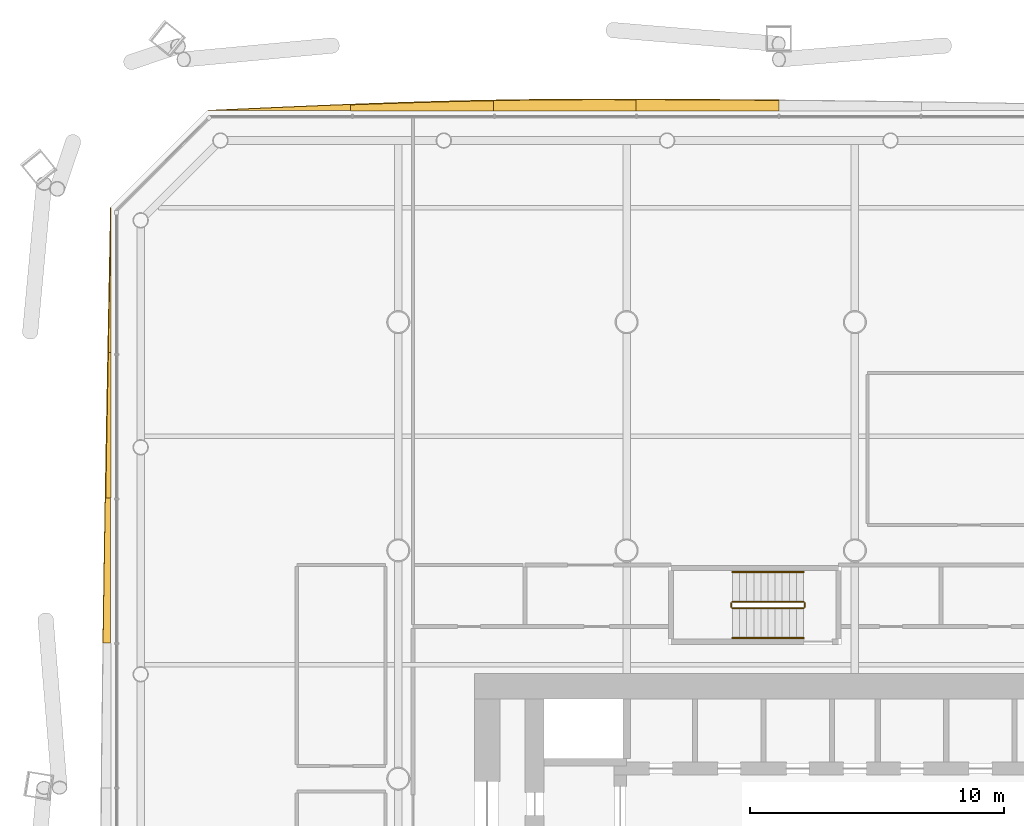
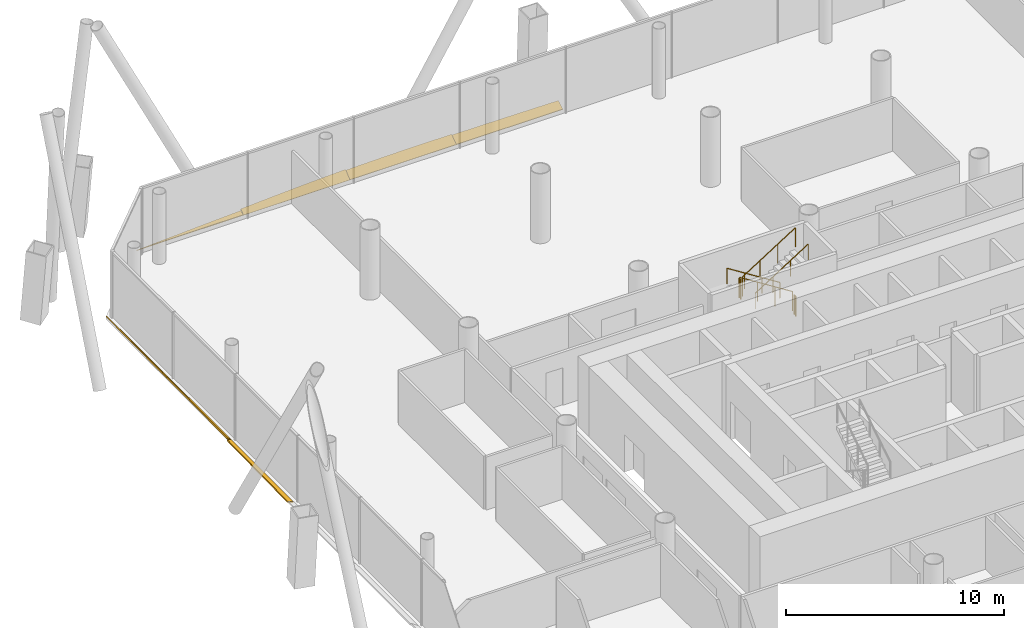
# One storey, part 20 of 21: 7 shading devices, 6 railings.
"""IFC4 building model written with IfcOpenShell, lengths in metres."""

from ifc_helpers import new_model, si_unit, direction, frame, origin, origin_2d, place, context, subcontext, project, spatial, polyline, circle, outline, extrude, material, layer, layer_set, type_object, element, save


model = new_model("IFC4")

# Units and contexts
model_context = context("Model", 3, precision=1e-05, world=origin(), true_north=direction((0.0, 1.0)))
body_context = subcontext(model_context, "Body", "Model", "MODEL_VIEW")
ifc_project = project(units=[si_unit("LENGTHUNIT", "METRE"), si_unit("AREAUNIT", "SQUARE_METRE"), si_unit("VOLUMEUNIT", "CUBIC_METRE"), si_unit("PLANEANGLEUNIT", "RADIAN"), si_unit("MASSUNIT", "GRAM", prefix="KILO")], contexts=[model_context])

# Site, building, storey
site_placement = place(None, origin())
site = spatial("IfcSite", under=ifc_project, at=site_placement, CompositionType="ELEMENT")
building_placement = place(site_placement, origin())
building = spatial("IfcBuilding", under=site, at=building_placement, Name="Tskaro Facet Tower", CompositionType="ELEMENT")
storey_placement = place(building_placement, frame((0.0, 0.0, 45.89990234375)))
storey = spatial("IfcBuildingStorey", under=building, at=storey_placement, Name="L10", CompositionType="ELEMENT", Elevation=45.89990234375)

# Shading devices
ifc_material_1 = material(Name="Bronze anodised aluminium 6063-T6", Category="aluminium")
ifc_layer = layer(ifc_material_1, 0.06005859375, Name="Bronze anodised aluminium 6063-T6")
ifc_layer_set = layer_set([ifc_layer], Name="Bronze anodised aluminium 6063-T6")
shading_device_type = type_object("IfcShadingDeviceType", Name="Bronze sun blade (FN1)", PredefinedType="USERDEFINED", material=ifc_layer_set)
shading_device_1_placement = place(storey_placement, frame((-3.0, 26.326904296875, 0.052001953125), z_axis=(4.718736e-06, -0.499979834675, 0.866037045914), x_axis=(-0.999999999989, -2.359273e-06, 4.0866e-06)))
element("IfcShadingDevice", 1, at=shading_device_1_placement, inside=storey, type_object=shading_device_type, Name="Fin blade north 5", ObjectType="FIN", PredefinedType="USERDEFINED", context=body_context, shape_type="SweptSolid", body=[
    extrude(outline(polyline([(0.0, 0.0), (5.6271972655623514, 0.0), (5.627197265614438, -0.5102553662997212), (4.9238281250384075, -0.5082870609627608), (4.220458984194951, -0.5054403203701524), (3.5170898435057785, -0.5020486447368877), (2.813720703546884, -0.49790059923730157), (2.1101074215435753, -0.4932969881333978), (1.4067382814715366, -0.4877255723375075), (0.7033691405560765, -0.48148715611163456), (-2.0510024291855364e-10, -0.4747038048451052), (0.0, 0.0)])), origin(), (0.0, 0.0, -1.0), 0.06005859375),
])
shading_device_2_placement = place(storey_placement, frame((-8.627197265625, 26.322509765625, 0.04931640625), z_axis=(9.983e-07, -0.573426071355, 0.819257310428), x_axis=(-1.0, -5.72451e-07, 8.17864e-07)))
element("IfcShadingDevice", 2, at=shading_device_2_placement, inside=storey, type_object=shading_device_type, Name="Fin blade north 6", ObjectType="FIN", PredefinedType="USERDEFINED", context=body_context, shape_type="SweptSolid", body=[
    extrude(outline(polyline([(0.0, 0.0), (5.627197265622196, 0.0), (5.627197265664122, -0.49679935589731994), (4.9238281249203, -0.5110199152858155), (4.220458984435936, -0.5227403657508174), (3.5170898436120077, -0.5315407174939696), (2.813720703187296, -0.5376409463218244), (2.1103515624230194, -0.5408210764278296), (1.6657714844180718, -0.541501097610341), (1.4069824219182008, -0.541501097610341), (0.7033691406884789, -0.5406210624360258), (2.3841997477995805e-11, -0.5394010166704548), (0.0, 0.0)])), origin(), (0.0, 0.0, -1.0), 0.06005859375),
])
shading_device_3_placement = place(storey_placement, frame((-14.25439453125, 26.318359375, 0.046142578125), z_axis=(1.407075e-06, -0.642649318085, 0.766160462281), x_axis=(-0.999999999999, -9.04256e-07, 1.078045e-06)))
element("IfcShadingDevice", 3, at=shading_device_3_placement, inside=storey, type_object=shading_device_type, Name="Fin blade north 7", ObjectType="FIN", PredefinedType="USERDEFINED", context=body_context, shape_type="SweptSolid", body=[
    extrude(outline(polyline([(0.0, 0.0), (5.627441406244429, 0.0), (5.62744140617187, -0.3176554713903027), (4.9238281247674, -0.3519776805099698), (4.220458984480513, -0.3843629461461611), (3.517089843718285, -0.41487157647475403), (2.813720703143014, -0.442942418813413), (2.110351562533934, -0.46876252405624996), (1.4069824218910456, -0.4923318922032647), (0.7036132813926845, -0.5131195246600605), (-7.01088194219972e-11, -0.531155575514576), (0.0, 0.0)])), origin(), (0.0, 0.0, -1.0), 0.06005859375),
])
shading_device_4_placement = place(storey_placement, frame((-19.8818359375, 26.33642578125, 0.056396484375), z_axis=(8.14819e-06, -0.342285490755, 0.939595999753), x_axis=(-0.999999999967, -2.789007e-06, 7.656006e-06)))
element("IfcShadingDevice", 4, at=shading_device_4_placement, inside=storey, type_object=shading_device_type, Name="Fin blade north 8", ObjectType="FIN", PredefinedType="USERDEFINED", context=body_context, shape_type="SweptSolid", body=[
    extrude(outline(polyline([(0.0, 0.0), (5.627197265438197, -2.383210742341842e-21), (4.923828124675261, -0.034291107306719984), (4.2204589845932325, -0.06835282105880514), (3.5168457026979816, -0.10210157546261123), (2.813476563470452, -0.13516214920251285), (2.110107421866458, -0.16759680424585635), (1.4067382804360518, -0.19925971283165117), (0.7033691405410527, -0.22969208785062764), (-3.685909401511072e-10, -0.2590397570637763), (0.0, 0.0)])), origin(), (0.0, 0.0, -1.0), 0.06005859375),
])
shading_device_5_placement = place(storey_placement, frame((-29.322509765625, 22.509033203125, 0.04931640625), z_axis=(0.572362988234, 1.0488162e-05, 0.820000371701), x_axis=(6.003036e-06, -0.999999999945, 8.600296e-06)))
element("IfcShadingDevice", 5, at=shading_device_5_placement, inside=storey, type_object=shading_device_type, Name="Fin blade west 1", ObjectType="FIN", PredefinedType="USERDEFINED", context=body_context, shape_type="SweptSolid", body=[
    extrude(outline(polyline([(0.0, 0.0), (5.716796874685572, -4.842315305885424e-21), (5.716796875303948, -0.13342523971420084), (5.002197266787512, -0.1171044843430763), (4.287597656171393, -0.1006439919142698), (3.5729980470208598, -0.08398330408220495), (2.858398437870327, -0.06732261625014009), (2.143798826620112, -0.050522191360393244), (1.4291992189351634, -0.033661308125070045), (0.7145996076849483, -0.0168608832353232), (0.0, 0.0)])), origin(), (0.0, 0.0, -1.0), 0.06005859375),
])
shading_device_6_placement = place(storey_placement, frame((-29.318359375, 16.792236328125, 0.046142578125), z_axis=(0.642239397781, -9.519205e-06, 0.766504113393), x_axis=(-6.113608e-06, -0.999999999955, -7.29651e-06)))
element("IfcShadingDevice", 6, at=shading_device_6_placement, inside=storey, type_object=shading_device_type, Name="Fin blade west 2", ObjectType="FIN", PredefinedType="USERDEFINED", context=body_context, shape_type="SweptSolid", body=[
    extrude(outline(polyline([(0.0, 0.0), (5.717041015365974, 0.0), (5.717041015577559, -0.27676815336274924), (5.002441404931073, -0.26063881632837377), (4.287841797558541, -0.24453981735933467), (3.5732421872008495, -0.22806654880366115), (2.858642578624533, -0.2114364835200067), (2.144042968555635, -0.19461928344303508), (1.4294433587755322, -0.17745815184476532), (0.7145996101518144, -0.1601402235185147), (-1.120868793988963e-09, -0.14279195712692772), (0.0, 0.0)])), origin(), (0.0, 0.0, -1.0), 0.06005859375),
])
shading_device_7_placement = place(storey_placement, frame((-29.33642578125, 11.0751953125, 0.056396484375), z_axis=(0.342189047853, 7.477543e-06, 0.939631127344), x_axis=(2.558733e-06, -0.999999999972, 7.026132e-06)))
element("IfcShadingDevice", 7, at=shading_device_7_placement, inside=storey, type_object=shading_device_type, Name="Fin blade west 3", ObjectType="FIN", PredefinedType="USERDEFINED", context=body_context, shape_type="SweptSolid", body=[
    extrude(outline(polyline([(0.0, 0.0), (5.716796874840177, 0.0), (5.716796875261032, -0.3209056430274164), (5.002197264697192, -0.30993407756956787), (4.287597656473408, -0.2988166522290271), (3.572998047783641, -0.2871568803790617), (2.85839843737851, -0.275413566281083), (2.143798827598069, -0.2634408500523987), (1.4291992190670102, -0.25100932956230326), (0.714599608820587, -0.23849426682419442), (-1.7645484442953212e-10, -0.2255203998246744), (0.0, 0.0)])), origin(), (0.0, 0.0, -1.0), 0.06005859375),
])

# Railings
ifc_material_2 = material(Name="Stainless steel", Category="steel")
railing_type_1 = type_object("IfcRailingType", Name="RL-GUARD-1100", PredefinedType="GUARDRAIL", material=ifc_material_2)
railing_1_placement = place(storey_placement, frame((-2.02490234375, 6.97509765625, 0.177490234375)))
element("IfcRailing", 8, at=railing_1_placement, inside=storey, type_object=railing_type_1, Name="L10 ST-3 stair guard 1", PredefinedType="GUARDRAIL", context=body_context, shape_type="SweptSolid", body=[
    extrude(circle(Radius=0.02392578125, at=origin_2d()), frame((0.0, 0.0, 1.076171875), z_axis=(-0.844908973607, 0.0, 0.534910110503), x_axis=(0.0, -1.0, 0.0)), (0.0, 0.0, 1.0), 3.31396484375),
    extrude(circle(Radius=0.02099609375, at=origin_2d()), origin(), (0.0, 0.0, 1.0), 1.052001953125),
    extrude(circle(Radius=0.02099609375, at=origin_2d()), frame((-0.933349609375, 0.0, 0.5908203125)), (0.0, 0.0, 1.0), 1.052001953125),
    extrude(circle(Radius=0.02099609375, at=origin_2d()), frame((-1.86669921875, 0.0, 1.181884765625)), (0.0, 0.0, 1.0), 1.052001953125),
    extrude(circle(Radius=0.02099609375, at=origin_2d()), frame((-2.800048828125, 0.0, 1.772705078125)), (0.0, 0.0, 1.0), 1.052001953125),
])
railing_2_placement = place(storey_placement, frame((-4.875, 6.925048828125, 1.9501953125)))
element("IfcRailing", 9, at=railing_2_placement, inside=storey, type_object=railing_type_1, Name="L10 ST-3 stair guard 2", PredefinedType="GUARDRAIL", context=body_context, shape_type="SweptSolid", body=[
    extrude(circle(Radius=0.02392578125, at=origin_2d()), frame((0.0, 0.0, 1.076171875), z_axis=(0.0, -1.0, 0.0), x_axis=(1.0, 0.0, 0.0)), (0.0, 0.0, 1.0), 0.150146484375),
    extrude(circle(Radius=0.02099609375, at=origin_2d()), origin(), (0.0, 0.0, 1.0), 1.052001953125),
    extrude(circle(Radius=0.02099609375, at=origin_2d()), frame((0.0, -0.150146484375, 0.0)), (0.0, 0.0, 1.0), 1.052001953125),
])
railing_3_placement = place(storey_placement, frame((-4.824951171875, 6.72509765625, 2.12744140625)))
element("IfcRailing", 10, at=railing_3_placement, inside=storey, type_object=railing_type_1, Name="L10 ST-3 stair guard 3", PredefinedType="GUARDRAIL", context=body_context, shape_type="SweptSolid", body=[
    extrude(circle(Radius=0.02392578125, at=origin_2d()), frame((0.0, 0.0, 1.076171875), z_axis=(0.844908973607, 0.0, 0.534910110503), x_axis=(0.0, 1.0, 0.0)), (0.0, 0.0, 1.0), 3.31396484375),
    extrude(circle(Radius=0.02099609375, at=origin_2d()), origin(), (0.0, 0.0, 1.0), 1.052001953125),
    extrude(circle(Radius=0.02099609375, at=origin_2d()), frame((0.933349609375, 0.0, 0.5908203125)), (0.0, 0.0, 1.0), 1.052001953125),
    extrude(circle(Radius=0.02099609375, at=origin_2d()), frame((1.86669921875, 0.0, 1.181884765625)), (0.0, 0.0, 1.0), 1.052001953125),
    extrude(circle(Radius=0.02099609375, at=origin_2d()), frame((2.800048828125, 0.0, 1.772705078125)), (0.0, 0.0, 1.0), 1.052001953125),
])
railing_4_placement = place(storey_placement, frame((-1.97509765625, 6.925048828125, 0.0)))
element("IfcRailing", 11, at=railing_4_placement, inside=storey, type_object=railing_type_1, Name="L10 ST-3 stair guard 4", PredefinedType="GUARDRAIL", context=body_context, shape_type="SweptSolid", body=[
    extrude(circle(Radius=0.02392578125, at=origin_2d()), frame((0.0, 0.0, 1.076171875), z_axis=(0.0, -1.0, 0.0), x_axis=(1.0, 0.0, 0.0)), (0.0, 0.0, 1.0), 0.150146484375),
    extrude(circle(Radius=0.02099609375, at=origin_2d()), origin(), (0.0, 0.0, 1.0), 1.052001953125),
    extrude(circle(Radius=0.02099609375, at=origin_2d()), frame((0.0, -0.150146484375, 0.0)), (0.0, 0.0, 1.0), 1.052001953125),
])
railing_type_2 = type_object("IfcRailingType", Name="RL-HANDRAIL-900", PredefinedType="HANDRAIL", material=ifc_material_2)
railing_5_placement = place(storey_placement, frame((-2.02490234375, 8.14990234375, 0.177490234375)))
element("IfcRailing", 12, at=railing_5_placement, inside=storey, type_object=railing_type_2, Name="L10 ST-3 stair handrail 1", PredefinedType="HANDRAIL", context=body_context, shape_type="SweptSolid", body=[
    extrude(circle(Radius=0.02392578125, at=origin_2d()), frame((0.0, 0.0, 0.8759765625), z_axis=(-0.844908973607, 0.0, 0.534910110503), x_axis=(0.0, -1.0, 0.0)), (0.0, 0.0, 1.0), 3.31396484375),
    extrude(circle(Radius=0.02099609375, at=origin_2d()), origin(), (0.0, 0.0, 1.0), 0.851806640625),
    extrude(circle(Radius=0.02099609375, at=origin_2d()), frame((-0.933349609375, 0.0, 0.5908203125)), (0.0, 0.0, 1.0), 0.851806640625),
    extrude(circle(Radius=0.02099609375, at=origin_2d()), frame((-1.86669921875, 0.0, 1.181884765625)), (0.0, 0.0, 1.0), 0.851806640625),
    extrude(circle(Radius=0.02099609375, at=origin_2d()), frame((-2.800048828125, 0.0, 1.772705078125)), (0.0, 0.0, 1.0), 0.851806640625),
])
railing_6_placement = place(storey_placement, frame((-4.824951171875, 5.550048828125, 2.12744140625)))
element("IfcRailing", 13, at=railing_6_placement, inside=storey, type_object=railing_type_2, Name="L10 ST-3 stair handrail 2", PredefinedType="HANDRAIL", context=body_context, shape_type="SweptSolid", body=[
    extrude(circle(Radius=0.02392578125, at=origin_2d()), frame((0.0, 0.0, 0.8759765625), z_axis=(0.844908973607, 0.0, 0.534910110503), x_axis=(0.0, 1.0, 0.0)), (0.0, 0.0, 1.0), 3.31396484375),
    extrude(circle(Radius=0.02099609375, at=origin_2d()), origin(), (0.0, 0.0, 1.0), 0.851806640625),
    extrude(circle(Radius=0.02099609375, at=origin_2d()), frame((0.933349609375, 0.0, 0.5908203125)), (0.0, 0.0, 1.0), 0.851806640625),
    extrude(circle(Radius=0.02099609375, at=origin_2d()), frame((1.86669921875, 0.0, 1.181884765625)), (0.0, 0.0, 1.0), 0.851806640625),
    extrude(circle(Radius=0.02099609375, at=origin_2d()), frame((2.800048828125, 0.0, 1.772705078125)), (0.0, 0.0, 1.0), 0.851806640625),
])

save(model, "model.ifc")
